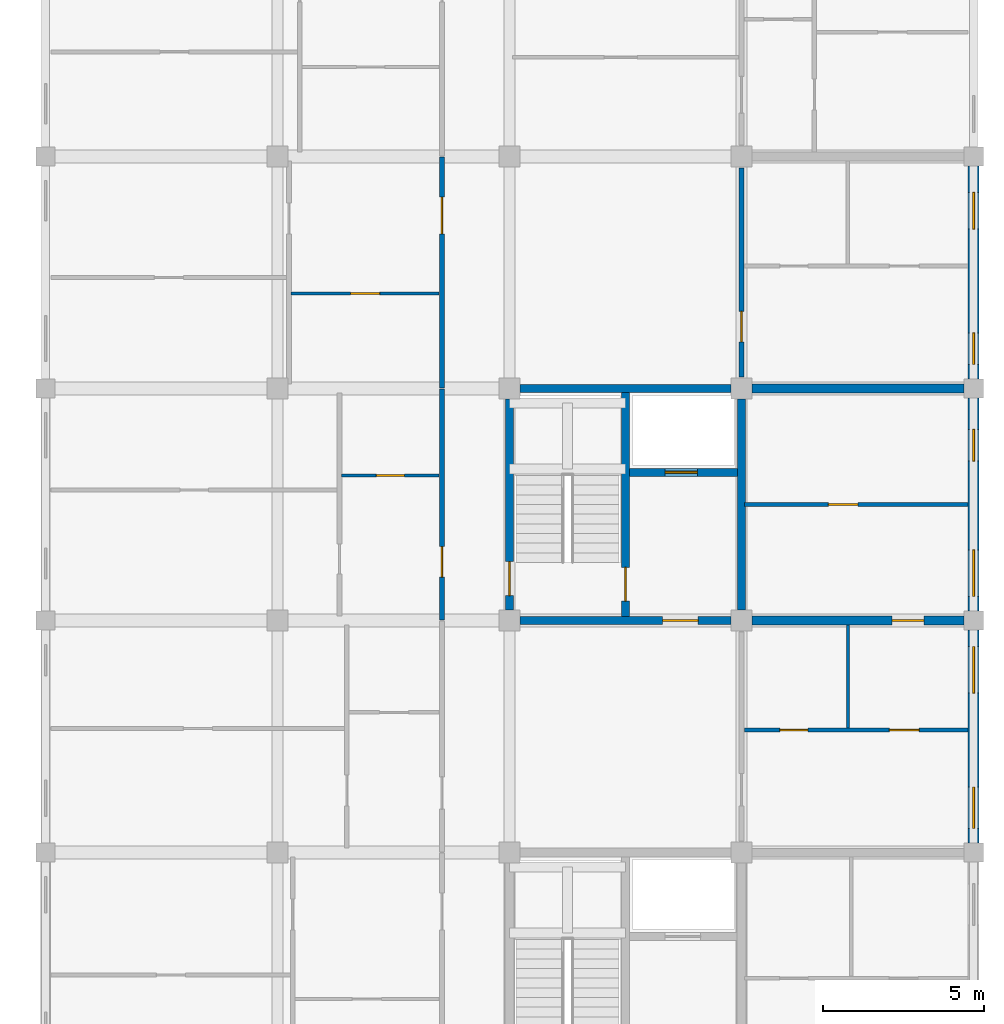
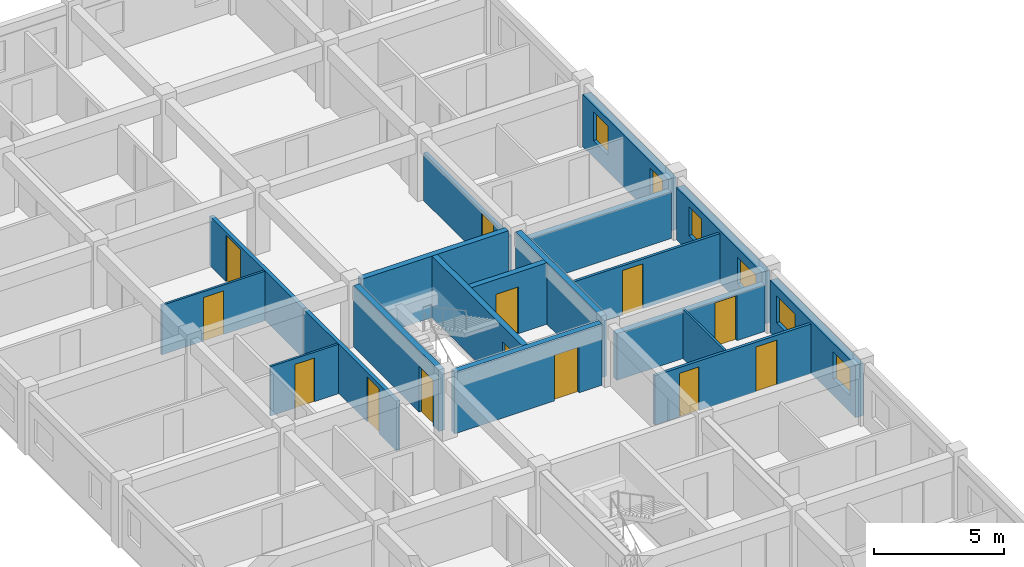
# One storey, part 32 of 50: 19 walls, 13 doors, 6 windows, 19 openings.
"""IFC4 building model written with IfcOpenShell, lengths in metres."""

from ifc_helpers import new_model, si_unit, direction, frame, frame_2d, origin, place, context, subcontext, project, spatial, rectangle, extrude, material, layer, layer_set, type_object, element, fill, save


model = new_model("IFC4")

# Units and contexts
model_context = context("Model", 3, precision=1e-05, world=origin(), true_north=direction((0.0, 1.0)))
body_context = subcontext(model_context, "Body", "Model", "MODEL_VIEW")
ifc_project = project(units=[si_unit("LENGTHUNIT", "METRE"), si_unit("AREAUNIT", "SQUARE_METRE"), si_unit("VOLUMEUNIT", "CUBIC_METRE"), si_unit("PLANEANGLEUNIT", "RADIAN"), si_unit("MASSUNIT", "GRAM", prefix="KILO"), si_unit("THERMODYNAMICTEMPERATUREUNIT", "KELVIN"), si_unit("POWERUNIT", "WATT")], contexts=[model_context])

# Site, building, storey
site_placement = place(None, origin())
site = spatial("IfcSite", under=ifc_project, at=site_placement, CompositionType="ELEMENT")
building_placement = place(site_placement, origin())
building = spatial("IfcBuilding", under=site, at=building_placement, Name="Tavuni Mirador Residences", CompositionType="ELEMENT")
storey_placement = place(building_placement, frame((0.0, 0.0, 4.5)))
storey = spatial("IfcBuildingStorey", under=building, at=storey_placement, Name="L01", CompositionType="ELEMENT", Elevation=4.5)

# Wall, opening, door
ifc_material_1 = material(Name="Precast concrete C40/50", Category="concrete")
ifc_layer_1 = layer(ifc_material_1, 0.25, Name="Precast concrete C40/50", Category="concrete")
ifc_layer_set_1 = layer_set([ifc_layer_1], Name="Precast concrete C40/50")
wall_type_1 = type_object("IfcWallType", Name="WT-COR250", PredefinedType="SHEAR", material=ifc_layer_set_1)
wall_1_placement = place(storey_placement, frame((104.39990234375, 108.324951171875, 0.0), z_axis=(0.0, 0.0, 1.0), x_axis=(0.0, 1.0, 0.0)))
wall_1 = element("IfcWall", 1, at=wall_1_placement, inside=storey, type_object=wall_type_1, Name="CWALL-C8-L01-W", PredefinedType="SHEAR", context=body_context, shape_type="SweptSolid", body=[
    extrude(rectangle(XDim=6.550048828125, YDim=0.25, at=frame_2d((3.27490234375, 0.0))), origin(), (0.0, 0.0, 1.0), 2.889892578125),
])
opening_1_placement = place(wall_1_placement, frame((0.449951171875, 0.0, 0.0)))
opening_1 = element("IfcOpeningElement", 2, at=opening_1_placement, cuts=wall_1, Name="Opening D-01", PredefinedType="OPENING", context=body_context, shape_type="SweptSolid", body=[
    extrude(rectangle(XDim=1.050048828125, YDim=2.14990234375, at=frame_2d((0.52490234375, 1.074951171875))), frame((0.0, 0.135009765625, 0.0), z_axis=(0.0, -1.0, 0.0), x_axis=(1.0, 0.0, 0.0)), (0.0, 0.0, 1.0), 0.27001953125),
])
ifc_material_2 = material(Name="Solid core iroko timber", Category="wood")
door_type_1 = type_object("IfcDoorType", Name="DT-ST1050", OperationType="NOTDEFINED", PredefinedType="DOOR", material=ifc_material_2)
door_1_placement = place(opening_1_placement, origin())
door_1 = element("IfcDoor", 3, at=door_1_placement, inside=storey, type_object=door_type_1, Name="DR-2317", OperationType="SINGLE_SWING_RIGHT", OverallHeight=2.14990234375, OverallWidth=1.050048828125, PredefinedType="DOOR", context=body_context, shape_type="SweptSolid", body=[
    extrude(rectangle(XDim=1.050048828125, YDim=2.14990234375, at=frame_2d((0.52490234375, 1.074951171875))), frame((0.0, 0.02490234375, 0.0), z_axis=(0.0, -1.0, 0.0), x_axis=(1.0, 0.0, 0.0)), (0.0, 0.0, 1.0), 0.050048828125),
])
fill(opening_1, door_1)

# Walls
wall_2_placement = place(storey_placement, frame((104.72509765625, 115.199951171875, 0.0), z_axis=(0.0, 0.0, 1.0), x_axis=(1.0, 0.0, 0.0)))
element("IfcWall", 4, at=wall_2_placement, inside=storey, type_object=wall_type_1, Name="CWALL-C8-L01-N", PredefinedType="SHEAR", context=body_context, shape_type="SweptSolid", body=[
    extrude(rectangle(XDim=6.5498046875, YDim=0.25, at=frame_2d((3.27490234375, 0.0))), origin(), (0.0, 0.0, 1.0), 2.889892578125),
])
wall_3_placement = place(storey_placement, frame((111.60009765625, 108.324951171875, 0.0), z_axis=(0.0, 0.0, 1.0), x_axis=(0.0, 1.0, 0.0)))
element("IfcWall", 5, at=wall_3_placement, inside=storey, type_object=wall_type_1, Name="CWALL-C8-L01-E", PredefinedType="SHEAR", context=body_context, shape_type="SweptSolid", body=[
    extrude(rectangle(XDim=6.550048828125, YDim=0.25, at=frame_2d((3.27490234375, 0.0))), origin(), (0.0, 0.0, 1.0), 2.889892578125),
])

# Wall, opening, door
wall_4_placement = place(storey_placement, frame((104.72509765625, 108.0, 0.0), z_axis=(0.0, 0.0, 1.0), x_axis=(1.0, 0.0, 0.0)))
wall_4 = element("IfcWall", 6, at=wall_4_placement, inside=storey, type_object=wall_type_1, Name="CWALL-C8-L01-SS", PredefinedType="SHEAR", context=body_context, shape_type="SweptSolid", body=[
    extrude(rectangle(XDim=6.5498046875, YDim=0.25, at=frame_2d((3.27490234375, 0.0))), origin(), (0.0, 0.0, 1.0), 2.889892578125),
])
opening_2_placement = place(wall_4_placement, frame((4.425048828125, 0.0, 0.0)))
opening_2 = element("IfcOpeningElement", 7, at=opening_2_placement, cuts=wall_4, Name="Opening D-02", PredefinedType="OPENING", context=body_context, shape_type="SweptSolid", body=[
    extrude(rectangle(XDim=1.10009765625, YDim=2.14990234375, at=frame_2d((0.550048828125, 1.074951171875))), frame((0.0, 0.135009765625, 0.0), z_axis=(0.0, -1.0, 0.0), x_axis=(1.0, 0.0, 0.0)), (0.0, 0.0, 1.0), 0.27001953125),
])
door_type_2 = type_object("IfcDoorType", Name="DT-LOB1100", OperationType="NOTDEFINED", PredefinedType="DOOR", material=ifc_material_2)
door_2_placement = place(opening_2_placement, frame((1.10009765625, 0.0, 0.0), z_axis=(0.0, 0.0, 1.0), x_axis=(-1.0, 0.0, 0.0)))
door_2 = element("IfcDoor", 8, at=door_2_placement, inside=storey, type_object=door_type_2, Name="DR-2318", OperationType="SINGLE_SWING_RIGHT", OverallHeight=2.14990234375, OverallWidth=1.10009765625, PredefinedType="DOOR", context=body_context, shape_type="SweptSolid", body=[
    extrude(rectangle(XDim=1.10009765625, YDim=2.14990234375, at=frame_2d((0.550048828125, 1.074951171875))), frame((0.0, 0.02490234375, 0.0), z_axis=(0.0, -1.0, 0.0), x_axis=(1.0, 0.0, 0.0)), (0.0, 0.0, 1.0), 0.050048828125),
])
fill(opening_2, door_2)

wall_5_placement = place(storey_placement, frame((108.0, 108.125, 0.0), z_axis=(0.0, 0.0, 1.0), x_axis=(0.0, 1.0, 0.0)))
wall_5 = element("IfcWall", 9, at=wall_5_placement, inside=storey, type_object=wall_type_1, Name="CWALL-C8-L01-MID", PredefinedType="SHEAR", context=body_context, shape_type="SweptSolid", body=[
    extrude(rectangle(XDim=6.949951171875, YDim=0.25, at=frame_2d((3.47509765625, 0.0))), origin(), (0.0, 0.0, 1.0), 2.889892578125),
])
opening_3_placement = place(wall_5_placement, frame((0.47509765625, 0.0, 0.0)))
opening_3 = element("IfcOpeningElement", 10, at=opening_3_placement, cuts=wall_5, Name="Opening D-01", PredefinedType="OPENING", context=body_context, shape_type="SweptSolid", body=[
    extrude(rectangle(XDim=1.050048828125, YDim=2.14990234375, at=frame_2d((0.52490234375, 1.074951171875))), frame((0.0, 0.135009765625, 0.0), z_axis=(0.0, -1.0, 0.0), x_axis=(1.0, 0.0, 0.0)), (0.0, 0.0, 1.0), 0.27001953125),
])
door_3_placement = place(opening_3_placement, origin())
door_3 = element("IfcDoor", 11, at=door_3_placement, inside=storey, type_object=door_type_1, Name="DR-2319", OperationType="SINGLE_SWING_LEFT", OverallHeight=2.14990234375, OverallWidth=1.050048828125, PredefinedType="DOOR", context=body_context, shape_type="SweptSolid", body=[
    extrude(rectangle(XDim=1.050048828125, YDim=2.14990234375, at=frame_2d((0.52490234375, 1.074951171875))), frame((0.0, 0.02490234375, 0.0), z_axis=(0.0, -1.0, 0.0), x_axis=(1.0, 0.0, 0.0)), (0.0, 0.0, 1.0), 0.050048828125),
])
fill(opening_3, door_3)

wall_6_placement = place(storey_placement, frame((108.125, 112.60009765625, 0.0), z_axis=(0.0, 0.0, 1.0), x_axis=(1.0, 0.0, 0.0)))
wall_6 = element("IfcWall", 12, at=wall_6_placement, inside=storey, type_object=wall_type_1, Name="CWALL-C8-L01-SHF", PredefinedType="SHEAR", context=body_context, shape_type="SweptSolid", body=[
    extrude(rectangle(XDim=3.35009765625, YDim=0.25, at=frame_2d((1.675048828125, 0.0))), origin(), (0.0, 0.0, 1.0), 2.889892578125),
])
opening_4_placement = place(wall_6_placement, frame((1.10009765625, 0.0, 0.0)))
opening_4 = element("IfcOpeningElement", 13, at=opening_4_placement, cuts=wall_6, Name="Opening LD-02", PredefinedType="OPENING", context=body_context, shape_type="SweptSolid", body=[
    extrude(rectangle(XDim=1.0, YDim=2.199951171875, at=frame_2d((0.5, 1.10009765625))), frame((0.0, 0.135009765625, 0.0), z_axis=(0.0, -1.0, 0.0), x_axis=(1.0, 0.0, 0.0)), (0.0, 0.0, 1.0), 0.27001953125),
])
ifc_material_3 = material(Name="Structural steel S355", Category="steel")
door_type_3 = type_object("IfcDoorType", Name="DT-LD-PAX", OperationType="SLIDING_TO_LEFT", PredefinedType="DOOR", material=ifc_material_3)
door_4_placement = place(opening_4_placement, origin())
door_4 = element("IfcDoor", 14, at=door_4_placement, inside=storey, type_object=door_type_3, Name="Lift landing door PL-D1 L01", OperationType="SLIDING_TO_LEFT", OverallHeight=2.199951171875, OverallWidth=1.0, PredefinedType="DOOR", context=body_context, shape_type="SweptSolid", body=[
    extrude(rectangle(XDim=1.0, YDim=2.199951171875, at=frame_2d((0.5, 1.10009765625))), frame((0.0, 0.02490234375, 0.0), z_axis=(0.0, -1.0, 0.0), x_axis=(1.0, 0.0, 0.0)), (0.0, 0.0, 1.0), 0.050048828125),
])
fill(opening_4, door_4)

ifc_layer_2 = layer(ifc_material_1, 0.1650390625, Name="Precast concrete C40/50", Category="concrete")
ifc_layer_set_2 = layer_set([ifc_layer_2], Name="Precast concrete C40/50")
wall_type_2 = type_object("IfcWallType", Name="WT-CORR165", PredefinedType="PARTITIONING", material=ifc_layer_set_2)
wall_7_placement = place(storey_placement, frame((102.300048828125, 108.02001953125, 0.0), z_axis=(0.0, 0.0, 1.0), x_axis=(0.0, 1.0, 0.0)))
wall_7 = element("IfcWall", 15, at=wall_7_placement, inside=storey, type_object=wall_type_2, Name="CORW-BLK-D-L01-0-03", PredefinedType="PARTITIONING", context=body_context, shape_type="SweptSolid", body=[
    extrude(rectangle(XDim=7.159912109375, YDim=0.1650390625, at=frame_2d((3.580078125, 0.0))), origin(), (0.0, 0.0, 1.0), 2.324951171875),
])
opening_5_placement = place(wall_7_placement, frame((1.330078125, 0.0, 0.0)))
opening_5 = element("IfcOpeningElement", 16, at=opening_5_placement, cuts=wall_7, Name="Opening D-19", PredefinedType="OPENING", context=body_context, shape_type="SweptSolid", body=[
    extrude(rectangle(XDim=0.93994140625, YDim=2.1201171875, at=frame_2d((0.469970703125, 1.06005859375))), frame((0.0, 0.092529296875, 0.0), z_axis=(0.0, -1.0, 0.0), x_axis=(1.0, 0.0, 0.0)), (0.0, 0.0, 1.0), 0.18505859375),
])
door_type_4 = type_object("IfcDoorType", Name="DT-FD60-940", OperationType="NOTDEFINED", PredefinedType="DOOR", material=ifc_material_2)
door_5_placement = place(opening_5_placement, origin())
door_5 = element("IfcDoor", 17, at=door_5_placement, inside=storey, type_object=door_type_4, Name="DR-2824", OperationType="SINGLE_SWING_LEFT", OverallHeight=2.1201171875, OverallWidth=0.93994140625, PredefinedType="DOOR", context=body_context, shape_type="SweptSolid", body=[
    extrude(rectangle(XDim=0.93994140625, YDim=2.1201171875, at=frame_2d((0.469970703125, 1.06005859375))), frame((0.0, 0.02490234375, 0.0), z_axis=(0.0, -1.0, 0.0), x_axis=(1.0, 0.0, 0.0)), (0.0, 0.0, 1.0), 0.050048828125),
])
fill(opening_5, door_5)

wall_8_placement = place(storey_placement, frame((102.300048828125, 115.219970703125, 0.0), z_axis=(0.0, 0.0, 1.0), x_axis=(0.0, 1.0, 0.0)))
wall_8 = element("IfcWall", 18, at=wall_8_placement, inside=storey, type_object=wall_type_2, Name="CORW-BLK-D-L01-0-04", PredefinedType="PARTITIONING", context=body_context, shape_type="SweptSolid", body=[
    extrude(rectangle(XDim=7.159912109375, YDim=0.1650390625, at=frame_2d((3.580078125, 0.0))), origin(), (0.0, 0.0, 1.0), 2.324951171875),
])
opening_6_placement = place(wall_8_placement, frame((4.780029296875, 0.0, 0.0)))
opening_6 = element("IfcOpeningElement", 19, at=opening_6_placement, cuts=wall_8, Name="Opening D-20", PredefinedType="OPENING", context=body_context, shape_type="SweptSolid", body=[
    extrude(rectangle(XDim=1.139892578125, YDim=2.179931640625, at=frame_2d((0.56982421875, 1.08984375))), frame((0.0, 0.092529296875, 0.0), z_axis=(0.0, -1.0, 0.0), x_axis=(1.0, 0.0, 0.0)), (0.0, 0.0, 1.0), 0.18505859375),
])
door_type_5 = type_object("IfcDoorType", Name="DT-FD60-1140", OperationType="NOTDEFINED", PredefinedType="DOOR", material=ifc_material_2)
door_6_placement = place(opening_6_placement, origin())
door_6 = element("IfcDoor", 20, at=door_6_placement, inside=storey, type_object=door_type_5, Name="DR-2825", OperationType="SINGLE_SWING_RIGHT", OverallHeight=2.179931640625, OverallWidth=1.139892578125, PredefinedType="DOOR", context=body_context, shape_type="SweptSolid", body=[
    extrude(rectangle(XDim=1.139892578125, YDim=2.179931640625, at=frame_2d((0.56982421875, 1.08984375))), frame((0.0, 0.02490234375, 0.0), z_axis=(0.0, -1.0, 0.0), x_axis=(1.0, 0.0, 0.0)), (0.0, 0.0, 1.0), 0.050048828125),
])
fill(opening_6, door_6)

wall_9_placement = place(storey_placement, frame((111.60009765625, 115.550048828125, 0.0), z_axis=(0.0, 0.0, 1.0), x_axis=(0.0, 1.0, 0.0)))
wall_9 = element("IfcWall", 21, at=wall_9_placement, inside=storey, type_object=wall_type_2, Name="CORW-BLK-D-L01-1-04", PredefinedType="PARTITIONING", context=body_context, shape_type="SweptSolid", body=[
    extrude(rectangle(XDim=6.5, YDim=0.1650390625, at=frame_2d((3.25, 0.0))), origin(), (0.0, 0.0, 1.0), 2.239990234375),
])
opening_7_placement = place(wall_9_placement, frame((1.10009765625, 0.0, 0.0)))
opening_7 = element("IfcOpeningElement", 22, at=opening_7_placement, cuts=wall_9, Name="Opening D-19", PredefinedType="OPENING", context=body_context, shape_type="SweptSolid", body=[
    extrude(rectangle(XDim=0.93994140625, YDim=2.1201171875, at=frame_2d((0.469970703125, 1.06005859375))), frame((0.0, 0.092529296875, 0.0), z_axis=(0.0, -1.0, 0.0), x_axis=(1.0, 0.0, 0.0)), (0.0, 0.0, 1.0), 0.18505859375),
])
door_7_placement = place(opening_7_placement, origin())
door_7 = element("IfcDoor", 23, at=door_7_placement, inside=storey, type_object=door_type_4, Name="DR-2830", OperationType="SINGLE_SWING_LEFT", OverallHeight=2.1201171875, OverallWidth=0.93994140625, PredefinedType="DOOR", context=body_context, shape_type="SweptSolid", body=[
    extrude(rectangle(XDim=0.93994140625, YDim=2.1201171875, at=frame_2d((0.469970703125, 1.06005859375))), frame((0.0, 0.02490234375, 0.0), z_axis=(0.0, -1.0, 0.0), x_axis=(1.0, 0.0, 0.0)), (0.0, 0.0, 1.0), 0.050048828125),
])
fill(opening_7, door_7)

# Wall, openings, windows
ifc_material_4 = material(Name="Sgraffito lime-rendered precast concrete C40/50", Category="concrete")
ifc_layer_3 = layer(ifc_material_4, 0.344970703125, Name="Sgraffito lime-rendered precast concrete C40/50", Category="concrete")
ifc_layer_set_3 = layer_set([ifc_layer_3], Name="Sgraffito lime-rendered precast concrete C40/50")
wall_type_3 = type_object("IfcWallType", Name="WT-EXT-PTY345", PredefinedType="SOLIDWALL", material=ifc_layer_set_3)
wall_10_placement = place(storey_placement, frame((118.800048828125, 101.10009765625, 0.0), z_axis=(0.0, 0.0, 1.0), x_axis=(0.0, 1.0, 0.0)))
wall_10 = element("IfcWall", 24, at=wall_10_placement, inside=storey, type_object=wall_type_3, Name="EW-BLK-D-L01-E02", PredefinedType="SOLIDWALL", context=body_context, shape_type="SweptSolid", body=[
    extrude(rectangle(XDim=6.599853515625, YDim=0.344970703125, at=frame_2d((3.2998046875, 0.0))), origin(), (0.0, 0.0, 1.0), 2.4599609375),
])
opening_8_placement = place(wall_10_placement, frame((0.449951171875, 0.0, 0.780029296875)))
opening_8 = element("IfcOpeningElement", 25, at=opening_8_placement, cuts=wall_10, Name="Opening WN-14", PredefinedType="OPENING", context=body_context, shape_type="SweptSolid", body=[
    extrude(rectangle(XDim=1.280029296875, YDim=1.260009765625, at=frame_2d((0.64013671875, 0.6298828125))), frame((0.0, 0.1826171875, 0.0), z_axis=(0.0, -1.0, 0.0), x_axis=(1.0, 0.0, 0.0)), (0.0, 0.0, 1.0), 0.364990234375),
])
opening_9_placement = place(wall_10_placement, frame((4.64990234375, 0.0, 0.780029296875)))
opening_9 = element("IfcOpeningElement", 26, at=opening_9_placement, cuts=wall_10, Name="Opening WN-16", PredefinedType="OPENING", context=body_context, shape_type="SweptSolid", body=[
    extrude(rectangle(XDim=1.43994140625, YDim=1.260009765625, at=frame_2d((0.719970703125, 0.6298828125))), frame((0.0, 0.1826171875, 0.0), z_axis=(0.0, -1.0, 0.0), x_axis=(1.0, 0.0, 0.0)), (0.0, 0.0, 1.0), 0.364990234375),
])
ifc_material_5 = material(Name="Laminated solar-control glass", Category="glass")
window_type_1 = type_object("IfcWindowType", Name="WNT-14", PartitioningType="SINGLE_PANEL", PredefinedType="WINDOW", material=ifc_material_5)
window_1_placement = place(opening_8_placement, origin())
window_1 = element("IfcWindow", 27, at=window_1_placement, inside=storey, type_object=window_type_1, Name="WIN-1452", OverallHeight=1.260009765625, OverallWidth=1.280029296875, PartitioningType="SINGLE_PANEL", PredefinedType="WINDOW", context=body_context, shape_type="SweptSolid", body=[
    extrude(rectangle(XDim=1.280029296875, YDim=1.260009765625, at=frame_2d((0.64013671875, 0.6298828125))), frame((0.0, 0.030029296875, 0.0), z_axis=(0.0, -1.0, 0.0), x_axis=(1.0, 0.0, 0.0)), (0.0, 0.0, 1.0), 0.06005859375),
])
fill(opening_8, window_1)
window_type_2 = type_object("IfcWindowType", Name="WNT-16", PartitioningType="SINGLE_PANEL", PredefinedType="WINDOW", material=ifc_material_5)
window_2_placement = place(opening_9_placement, origin())
window_2 = element("IfcWindow", 28, at=window_2_placement, inside=storey, type_object=window_type_2, Name="WIN-1453", OverallHeight=1.260009765625, OverallWidth=1.43994140625, PartitioningType="SINGLE_PANEL", PredefinedType="WINDOW", context=body_context, shape_type="SweptSolid", body=[
    extrude(rectangle(XDim=1.43994140625, YDim=1.260009765625, at=frame_2d((0.719970703125, 0.6298828125))), frame((0.0, 0.030029296875, 0.0), z_axis=(0.0, -1.0, 0.0), x_axis=(1.0, 0.0, 0.0)), (0.0, 0.0, 1.0), 0.06005859375),
])
fill(opening_9, window_2)

wall_11_placement = place(storey_placement, frame((118.800048828125, 108.300048828125, 0.0), z_axis=(0.0, 0.0, 1.0), x_axis=(0.0, 1.0, 0.0)))
wall_11 = element("IfcWall", 29, at=wall_11_placement, inside=storey, type_object=wall_type_3, Name="EW-BLK-D-L01-E03", PredefinedType="SOLIDWALL", context=body_context, shape_type="SweptSolid", body=[
    extrude(rectangle(XDim=6.599853515625, YDim=0.344970703125, at=frame_2d((3.2998046875, 0.0))), origin(), (0.0, 0.0, 1.0), 2.4599609375),
])
opening_10_placement = place(wall_11_placement, frame((0.449951171875, 0.0, 0.780029296875)))
opening_10 = element("IfcOpeningElement", 30, at=opening_10_placement, cuts=wall_11, Name="Opening WN-16", PredefinedType="OPENING", context=body_context, shape_type="SweptSolid", body=[
    extrude(rectangle(XDim=1.43994140625, YDim=1.260009765625, at=frame_2d((0.719970703125, 0.6298828125))), frame((0.0, 0.1826171875, 0.0), z_axis=(0.0, -1.0, 0.0), x_axis=(1.0, 0.0, 0.0)), (0.0, 0.0, 1.0), 0.364990234375),
])
opening_11_placement = place(wall_11_placement, frame((4.64990234375, 0.0, 0.780029296875)))
opening_11 = element("IfcOpeningElement", 31, at=opening_11_placement, cuts=wall_11, Name="Opening WN-18", PredefinedType="OPENING", context=body_context, shape_type="SweptSolid", body=[
    extrude(rectangle(XDim=0.97998046875, YDim=1.360107421875, at=frame_2d((0.489990234375, 0.68017578125))), frame((0.0, 0.1826171875, 0.0), z_axis=(0.0, -1.0, 0.0), x_axis=(1.0, 0.0, 0.0)), (0.0, 0.0, 1.0), 0.364990234375),
])
window_3_placement = place(opening_10_placement, origin())
window_3 = element("IfcWindow", 32, at=window_3_placement, inside=storey, type_object=window_type_2, Name="WIN-1454", OverallHeight=1.260009765625, OverallWidth=1.43994140625, PartitioningType="SINGLE_PANEL", PredefinedType="WINDOW", context=body_context, shape_type="SweptSolid", body=[
    extrude(rectangle(XDim=1.43994140625, YDim=1.260009765625, at=frame_2d((0.719970703125, 0.6298828125))), frame((0.0, 0.030029296875, 0.0), z_axis=(0.0, -1.0, 0.0), x_axis=(1.0, 0.0, 0.0)), (0.0, 0.0, 1.0), 0.06005859375),
])
fill(opening_10, window_3)
window_type_3 = type_object("IfcWindowType", Name="WNT-18", PartitioningType="SINGLE_PANEL", PredefinedType="WINDOW", material=ifc_material_5)
window_4_placement = place(opening_11_placement, origin())
window_4 = element("IfcWindow", 33, at=window_4_placement, inside=storey, type_object=window_type_3, Name="WIN-1455", OverallHeight=1.360107421875, OverallWidth=0.97998046875, PartitioningType="SINGLE_PANEL", PredefinedType="WINDOW", context=body_context, shape_type="SweptSolid", body=[
    extrude(rectangle(XDim=0.97998046875, YDim=1.360107421875, at=frame_2d((0.489990234375, 0.68017578125))), frame((0.0, 0.030029296875, 0.0), z_axis=(0.0, -1.0, 0.0), x_axis=(1.0, 0.0, 0.0)), (0.0, 0.0, 1.0), 0.06005859375),
])
fill(opening_11, window_4)

wall_12_placement = place(storey_placement, frame((118.800048828125, 115.5, 0.0), z_axis=(0.0, 0.0, 1.0), x_axis=(0.0, 1.0, 0.0)))
wall_12 = element("IfcWall", 34, at=wall_12_placement, inside=storey, type_object=wall_type_3, Name="EW-BLK-D-L01-E04", PredefinedType="SOLIDWALL", context=body_context, shape_type="SweptSolid", body=[
    extrude(rectangle(XDim=6.60009765625, YDim=0.344970703125, at=frame_2d((3.300048828125, 0.0))), origin(), (0.0, 0.0, 1.0), 2.4599609375),
])
opening_12_placement = place(wall_12_placement, frame((0.449951171875, 0.0, 0.780029296875)))
opening_12 = element("IfcOpeningElement", 35, at=opening_12_placement, cuts=wall_12, Name="Opening WN-18", PredefinedType="OPENING", context=body_context, shape_type="SweptSolid", body=[
    extrude(rectangle(XDim=0.97998046875, YDim=1.360107421875, at=frame_2d((0.489990234375, 0.68017578125))), frame((0.0, 0.1826171875, 0.0), z_axis=(0.0, -1.0, 0.0), x_axis=(1.0, 0.0, 0.0)), (0.0, 0.0, 1.0), 0.364990234375),
])
opening_13_placement = place(wall_12_placement, frame((4.64990234375, 0.0, 0.780029296875)))
opening_13 = element("IfcOpeningElement", 36, at=opening_13_placement, cuts=wall_12, Name="Opening WN-20", PredefinedType="OPENING", context=body_context, shape_type="SweptSolid", body=[
    extrude(rectangle(XDim=1.139892578125, YDim=1.360107421875, at=frame_2d((0.56982421875, 0.68017578125))), frame((0.0, 0.1826171875, 0.0), z_axis=(0.0, -1.0, 0.0), x_axis=(1.0, 0.0, 0.0)), (0.0, 0.0, 1.0), 0.364990234375),
])
window_5_placement = place(opening_12_placement, origin())
window_5 = element("IfcWindow", 37, at=window_5_placement, inside=storey, type_object=window_type_3, Name="WIN-1456", OverallHeight=1.360107421875, OverallWidth=0.97998046875, PartitioningType="SINGLE_PANEL", PredefinedType="WINDOW", context=body_context, shape_type="SweptSolid", body=[
    extrude(rectangle(XDim=0.97998046875, YDim=1.360107421875, at=frame_2d((0.489990234375, 0.68017578125))), frame((0.0, 0.030029296875, 0.0), z_axis=(0.0, -1.0, 0.0), x_axis=(1.0, 0.0, 0.0)), (0.0, 0.0, 1.0), 0.06005859375),
])
fill(opening_12, window_5)
window_type_4 = type_object("IfcWindowType", Name="WNT-20", PartitioningType="SINGLE_PANEL", PredefinedType="WINDOW", material=ifc_material_5)
window_6_placement = place(opening_13_placement, origin())
window_6 = element("IfcWindow", 38, at=window_6_placement, inside=storey, type_object=window_type_4, Name="WIN-1457", OverallHeight=1.360107421875, OverallWidth=1.139892578125, PartitioningType="SINGLE_PANEL", PredefinedType="WINDOW", context=body_context, shape_type="SweptSolid", body=[
    extrude(rectangle(XDim=1.139892578125, YDim=1.360107421875, at=frame_2d((0.56982421875, 0.68017578125))), frame((0.0, 0.030029296875, 0.0), z_axis=(0.0, -1.0, 0.0), x_axis=(1.0, 0.0, 0.0)), (0.0, 0.0, 1.0), 0.06005859375),
])
fill(opening_13, window_6)

# Wall
ifc_material_6 = material(Name="Acoustic gypsum and concrete block partition", Category="concrete")
ifc_layer_4 = layer(ifc_material_6, 0.094970703125, Name="Acoustic gypsum and concrete block partition", Category="concrete")
ifc_layer_set_4 = layer_set([ifc_layer_4], Name="Acoustic gypsum and concrete block partition")
wall_type_4 = type_object("IfcWallType", Name="WT-PART095", PredefinedType="PARTITIONING", material=ifc_layer_set_4)
wall_13_placement = place(storey_placement, frame((114.89990234375, 104.669921875, 0.0), z_axis=(0.0, 0.0, 1.0), x_axis=(0.0, 1.0, 0.0)))
element("IfcWall", 39, at=wall_13_placement, inside=storey, type_object=wall_type_4, Name="PW-BLK-D-L01-PF02-V", PredefinedType="PARTITIONING", context=body_context, shape_type="SweptSolid", body=[
    extrude(rectangle(XDim=3.190185546875, YDim=0.094970703125, at=frame_2d((1.59521484375, 0.0))), origin(), (0.0, 0.0, 1.0), 2.324951171875),
])

# Wall, opening, door
wall_14_placement = place(storey_placement, frame((99.18994140625, 112.5, 0.0), z_axis=(0.0, 0.0, 1.0), x_axis=(1.0, 0.0, 0.0)))
wall_14 = element("IfcWall", 40, at=wall_14_placement, inside=storey, type_object=wall_type_4, Name="PW-BLK-D-L01-W03-IN1", PredefinedType="PARTITIONING", context=body_context, shape_type="SweptSolid", body=[
    extrude(rectangle(XDim=3.02001953125, YDim=0.094970703125, at=frame_2d((1.510009765625, 0.0))), origin(), (0.0, 0.0, 1.0), 2.324951171875),
])
opening_14_placement = place(wall_14_placement, frame((1.074951171875, 0.0, 0.0)))
opening_14 = element("IfcOpeningElement", 41, at=opening_14_placement, cuts=wall_14, Name="Opening D-10", PredefinedType="OPENING", context=body_context, shape_type="SweptSolid", body=[
    extrude(rectangle(XDim=0.8701171875, YDim=2.050048828125, at=frame_2d((0.43505859375, 1.02490234375))), frame((0.0, 0.0576171875, 0.0), z_axis=(0.0, -1.0, 0.0), x_axis=(1.0, 0.0, 0.0)), (0.0, 0.0, 1.0), 0.114990234375),
])
door_type_6 = type_object("IfcDoorType", Name="DT-WC870", OperationType="NOTDEFINED", PredefinedType="DOOR", material=ifc_material_2)
door_8_placement = place(opening_14_placement, origin())
door_8 = element("IfcDoor", 42, at=door_8_placement, inside=storey, type_object=door_type_6, Name="DR-4330", OperationType="SINGLE_SWING_LEFT", OverallHeight=2.050048828125, OverallWidth=0.8701171875, PredefinedType="DOOR", context=body_context, shape_type="SweptSolid", body=[
    extrude(rectangle(XDim=0.8701171875, YDim=2.050048828125, at=frame_2d((0.43505859375, 1.02490234375))), frame((0.0, 0.02490234375, 0.0), z_axis=(0.0, -1.0, 0.0), x_axis=(1.0, 0.0, 0.0)), (0.0, 0.0, 1.0), 0.050048828125),
])
fill(opening_14, door_8)

wall_15_placement = place(storey_placement, frame((97.6201171875, 118.14990234375, 0.0), z_axis=(0.0, 0.0, 1.0), x_axis=(1.0, 0.0, 0.0)))
wall_15 = element("IfcWall", 43, at=wall_15_placement, inside=storey, type_object=wall_type_4, Name="PW-BLK-D-L01-W04-IN1", PredefinedType="PARTITIONING", context=body_context, shape_type="SweptSolid", body=[
    extrude(rectangle(XDim=4.58984375, YDim=0.094970703125, at=frame_2d((2.294921875, 0.0))), origin(), (0.0, 0.0, 1.0), 2.324951171875),
])
opening_15_placement = place(wall_15_placement, frame((1.844970703125, 0.0, 0.0)))
opening_15 = element("IfcOpeningElement", 44, at=opening_15_placement, cuts=wall_15, Name="Opening D-09", PredefinedType="OPENING", context=body_context, shape_type="SweptSolid", body=[
    extrude(rectangle(XDim=0.89990234375, YDim=2.050048828125, at=frame_2d((0.449951171875, 1.02490234375))), frame((0.0, 0.0576171875, 0.0), z_axis=(0.0, -1.0, 0.0), x_axis=(1.0, 0.0, 0.0)), (0.0, 0.0, 1.0), 0.114990234375),
])
door_type_7 = type_object("IfcDoorType", Name="DT-WC900", OperationType="NOTDEFINED", PredefinedType="DOOR", material=ifc_material_2)
door_9_placement = place(opening_15_placement, origin())
door_9 = element("IfcDoor", 45, at=door_9_placement, inside=storey, type_object=door_type_7, Name="DR-4334", OperationType="SINGLE_SWING_RIGHT", OverallHeight=2.050048828125, OverallWidth=0.89990234375, PredefinedType="DOOR", context=body_context, shape_type="SweptSolid", body=[
    extrude(rectangle(XDim=0.89990234375, YDim=2.050048828125, at=frame_2d((0.449951171875, 1.02490234375))), frame((0.0, 0.02490234375, 0.0), z_axis=(0.0, -1.0, 0.0), x_axis=(1.0, 0.0, 0.0)), (0.0, 0.0, 1.0), 0.050048828125),
])
fill(opening_15, door_9)

ifc_layer_5 = layer(ifc_material_6, 0.114990234375, Name="Acoustic gypsum and concrete block partition", Category="concrete")
ifc_layer_set_5 = layer_set([ifc_layer_5], Name="Acoustic gypsum and concrete block partition")
wall_type_5 = type_object("IfcWallType", Name="WT-PART115", PredefinedType="PARTITIONING", material=ifc_layer_set_5)
wall_16_placement = place(storey_placement, frame((111.68994140625, 111.60009765625, 0.0), z_axis=(0.0, 0.0, 1.0), x_axis=(1.0, 0.0, 0.0)))
wall_16 = element("IfcWall", 46, at=wall_16_placement, inside=storey, type_object=wall_type_5, Name="PW-BLK-D-L01-PF03-H", PredefinedType="PARTITIONING", context=body_context, shape_type="SweptSolid", body=[
    extrude(rectangle(XDim=6.93505859375, YDim=0.114990234375, at=frame_2d((3.467529296875, 0.0))), origin(), (0.0, 0.0, 1.0), 2.324951171875),
])
opening_16_placement = place(wall_16_placement, frame((2.60009765625, 0.0, 0.0)))
opening_16 = element("IfcOpeningElement", 47, at=opening_16_placement, cuts=wall_16, Name="Opening D-06", PredefinedType="OPENING", context=body_context, shape_type="SweptSolid", body=[
    extrude(rectangle(XDim=0.919921875, YDim=2.10009765625, at=frame_2d((0.4599609375, 1.050048828125))), frame((0.0, 0.0673828125, 0.0), z_axis=(0.0, -1.0, 0.0), x_axis=(1.0, 0.0, 0.0)), (0.0, 0.0, 1.0), 0.135009765625),
])
door_type_8 = type_object("IfcDoorType", Name="DT-INT920", OperationType="NOTDEFINED", PredefinedType="DOOR", material=ifc_material_2)
door_10_placement = place(opening_16_placement, origin())
door_10 = element("IfcDoor", 48, at=door_10_placement, inside=storey, type_object=door_type_8, Name="DR-4332", OperationType="SINGLE_SWING_RIGHT", OverallHeight=2.10009765625, OverallWidth=0.919921875, PredefinedType="DOOR", context=body_context, shape_type="SweptSolid", body=[
    extrude(rectangle(XDim=0.919921875, YDim=2.10009765625, at=frame_2d((0.4599609375, 1.050048828125))), frame((0.0, 0.02490234375, 0.0), z_axis=(0.0, -1.0, 0.0), x_axis=(1.0, 0.0, 0.0)), (0.0, 0.0, 1.0), 0.050048828125),
])
fill(opening_16, door_10)

# Wall, openings, doors
ifc_layer_6 = layer(ifc_material_6, 0.125, Name="Acoustic gypsum and concrete block partition", Category="concrete")
ifc_layer_set_6 = layer_set([ifc_layer_6], Name="Acoustic gypsum and concrete block partition")
wall_type_6 = type_object("IfcWallType", Name="WT-PART125", PredefinedType="PARTITIONING", material=ifc_layer_set_6)
wall_17_placement = place(storey_placement, frame((111.68994140625, 104.60009765625, 0.0), z_axis=(0.0, 0.0, 1.0), x_axis=(1.0, 0.0, 0.0)))
wall_17 = element("IfcWall", 49, at=wall_17_placement, inside=storey, type_object=wall_type_6, Name="PW-BLK-D-L01-PF02-H", PredefinedType="PARTITIONING", context=body_context, shape_type="SweptSolid", body=[
    extrude(rectangle(XDim=6.93505859375, YDim=0.125, at=frame_2d((3.467529296875, 0.0))), origin(), (0.0, 0.0, 1.0), 2.324951171875),
])
opening_17_placement = place(wall_17_placement, frame((1.10009765625, 0.0, 0.0)))
opening_17 = element("IfcOpeningElement", 50, at=opening_17_placement, cuts=wall_17, Name="Opening D-10", PredefinedType="OPENING", context=body_context, shape_type="SweptSolid", body=[
    extrude(rectangle(XDim=0.8701171875, YDim=2.050048828125, at=frame_2d((0.43505859375, 1.02490234375))), frame((0.0, 0.072509765625, 0.0), z_axis=(0.0, -1.0, 0.0), x_axis=(1.0, 0.0, 0.0)), (0.0, 0.0, 1.0), 0.14501953125),
])
opening_18_placement = place(wall_17_placement, frame((4.5, 0.0, 0.0)))
opening_18 = element("IfcOpeningElement", 51, at=opening_18_placement, cuts=wall_17, Name="Opening D-06", PredefinedType="OPENING", context=body_context, shape_type="SweptSolid", body=[
    extrude(rectangle(XDim=0.919921875, YDim=2.10009765625, at=frame_2d((0.4599609375, 1.050048828125))), frame((0.0, 0.072509765625, 0.0), z_axis=(0.0, -1.0, 0.0), x_axis=(1.0, 0.0, 0.0)), (0.0, 0.0, 1.0), 0.14501953125),
])
door_11_placement = place(opening_18_placement, origin())
door_11 = element("IfcDoor", 52, at=door_11_placement, inside=storey, type_object=door_type_8, Name="DR-4328", OperationType="SINGLE_SWING_RIGHT", OverallHeight=2.10009765625, OverallWidth=0.919921875, PredefinedType="DOOR", context=body_context, shape_type="SweptSolid", body=[
    extrude(rectangle(XDim=0.919921875, YDim=2.10009765625, at=frame_2d((0.4599609375, 1.050048828125))), frame((0.0, 0.02490234375, 0.0), z_axis=(0.0, -1.0, 0.0), x_axis=(1.0, 0.0, 0.0)), (0.0, 0.0, 1.0), 0.050048828125),
])
fill(opening_18, door_11)
door_12_placement = place(opening_17_placement, origin())
door_12 = element("IfcDoor", 53, at=door_12_placement, inside=storey, type_object=door_type_6, Name="DR-4327", OperationType="SINGLE_SWING_LEFT", OverallHeight=2.050048828125, OverallWidth=0.8701171875, PredefinedType="DOOR", context=body_context, shape_type="SweptSolid", body=[
    extrude(rectangle(XDim=0.8701171875, YDim=2.050048828125, at=frame_2d((0.43505859375, 1.02490234375))), frame((0.0, 0.02490234375, 0.0), z_axis=(0.0, -1.0, 0.0), x_axis=(1.0, 0.0, 0.0)), (0.0, 0.0, 1.0), 0.050048828125),
])
fill(opening_17, door_12)

# Wall, opening, door
ifc_layer_7 = layer(ifc_material_1, 0.264892578125, Name="Precast concrete C40/50", Category="concrete")
ifc_layer_set_7 = layer_set([ifc_layer_7], Name="Precast concrete C40/50")
wall_type_7 = type_object("IfcWallType", Name="WT-XW265", PredefinedType="SOLIDWALL", material=ifc_layer_set_7)
wall_18_placement = place(storey_placement, frame((111.925048828125, 108.0, 0.0), z_axis=(0.0, 0.0, 1.0), x_axis=(1.0, 0.0, 0.0)))
wall_18 = element("IfcWall", 54, at=wall_18_placement, inside=storey, type_object=wall_type_7, Name="XW-BLK-D-L01-E-03", PredefinedType="SOLIDWALL", context=body_context, shape_type="SweptSolid", body=[
    extrude(rectangle(XDim=6.574951171875, YDim=0.264892578125, at=frame_2d((3.28759765625, 0.0))), origin(), (0.0, 0.0, 1.0), 2.18994140625),
])
opening_19_placement = place(wall_18_placement, frame((4.35009765625, 0.0, 0.0)))
opening_19 = element("IfcOpeningElement", 55, at=opening_19_placement, cuts=wall_18, Name="Opening D-04", PredefinedType="OPENING", context=body_context, shape_type="SweptSolid", body=[
    extrude(rectangle(XDim=0.97998046875, YDim=2.1201171875, at=frame_2d((0.489990234375, 1.06005859375))), frame((0.0, 0.142578125, 0.0), z_axis=(0.0, -1.0, 0.0), x_axis=(1.0, 0.0, 0.0)), (0.0, 0.0, 1.0), 0.284912109375),
])
door_type_9 = type_object("IfcDoorType", Name="DT-FD60-980", OperationType="NOTDEFINED", PredefinedType="DOOR", material=ifc_material_2)
door_13_placement = place(opening_19_placement, origin())
door_13 = element("IfcDoor", 56, at=door_13_placement, inside=storey, type_object=door_type_9, Name="DR-4761", OperationType="SINGLE_SWING_RIGHT", OverallHeight=2.1201171875, OverallWidth=0.97998046875, PredefinedType="DOOR", context=body_context, shape_type="SweptSolid", body=[
    extrude(rectangle(XDim=0.97998046875, YDim=2.1201171875, at=frame_2d((0.489990234375, 1.06005859375))), frame((0.0, 0.02490234375, 0.0), z_axis=(0.0, -1.0, 0.0), x_axis=(1.0, 0.0, 0.0)), (0.0, 0.0, 1.0), 0.050048828125),
])
fill(opening_19, door_13)

# Wall
wall_19_placement = place(storey_placement, frame((111.925048828125, 115.199951171875, 0.0), z_axis=(0.0, 0.0, 1.0), x_axis=(1.0, 0.0, 0.0)))
element("IfcWall", 57, at=wall_19_placement, inside=storey, type_object=wall_type_7, Name="XW-BLK-D-L01-E-04", PredefinedType="SOLIDWALL", context=body_context, shape_type="SweptSolid", body=[
    extrude(rectangle(XDim=6.574951171875, YDim=0.264892578125, at=frame_2d((3.28759765625, 0.0))), origin(), (0.0, 0.0, 1.0), 2.18994140625),
])

save(model, "model.ifc")
